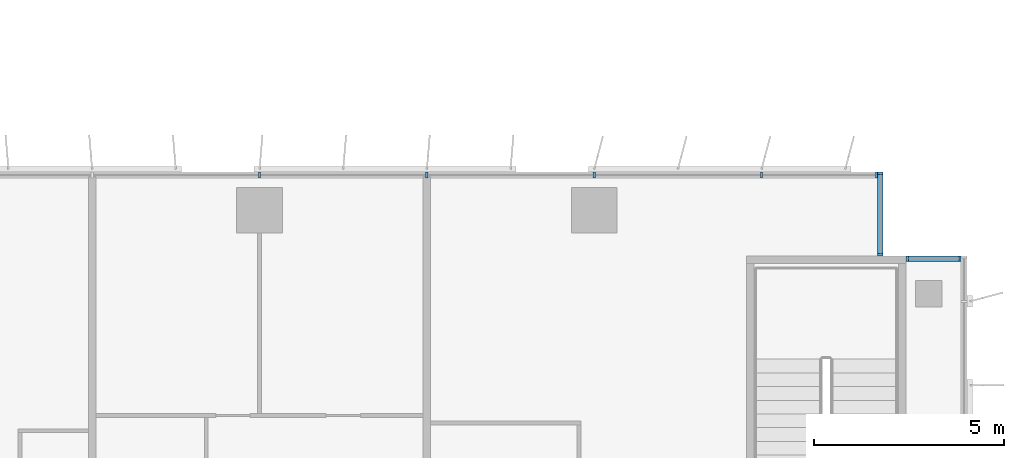
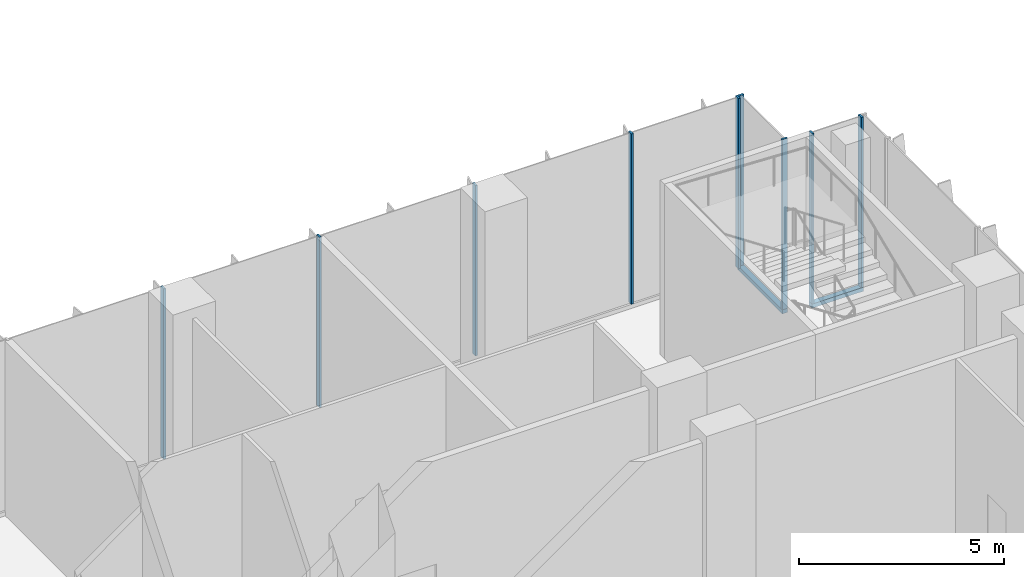
# One storey, part 4 of 26: 11 members, 3 elements without a shape of their own.
"""IFC4 building model written with IfcOpenShell, lengths in metres."""

from ifc_helpers import new_model, si_unit, direction, frame, origin, origin_2d, place, context, subcontext, project, spatial, rectangle, extrude, source, transform, mapped, material, material_profile, profile_set, type_object, element, aggregate, save


model = new_model("IFC4")

# Units and contexts
model_context = context("Model", 3, precision=1e-05, world=origin(), true_north=direction((0.0, 1.0)))
body_context = subcontext(model_context, "Body", "Model", "MODEL_VIEW")
ifc_project = project(units=[si_unit("LENGTHUNIT", "METRE"), si_unit("AREAUNIT", "SQUARE_METRE"), si_unit("VOLUMEUNIT", "CUBIC_METRE"), si_unit("PLANEANGLEUNIT", "RADIAN"), si_unit("MASSUNIT", "GRAM", prefix="KILO")], contexts=[model_context])

# Site, building, storey
site_placement = place(None, origin())
site = spatial("IfcSite", under=ifc_project, at=site_placement, CompositionType="ELEMENT")
building_placement = place(site_placement, origin())
building = spatial("IfcBuilding", under=site, at=building_placement, Name="Kemantara Hotel Tower", CompositionType="ELEMENT")
storey_placement = place(building_placement, frame((0.0, 0.0, 101.89990234375)))
storey = spatial("IfcBuildingStorey", under=building, at=storey_placement, Name="L24", CompositionType="ELEMENT", Elevation=101.89990234375)

# Curtain wall, member
ifc_material_1 = material(Name="Low-E tinted double insulated glass 36 mm", Category="glass")
curtain_wall_type = type_object("IfcCurtainWallType", Name="TOWER CURTAIN WALL, FRONT FACES", PredefinedType="USERDEFINED", material=ifc_material_1)
curtain_wall_1_placement = place(storey_placement, origin())
curtain_wall_1 = element("IfcCurtainWall", 1, at=curtain_wall_1_placement, inside=storey, type_object=curtain_wall_type, Name="CW4 L24 T2-R11-1", ObjectType="TOWER CURTAIN WALL, FRONT FACES", PredefinedType="USERDEFINED")
ifc_material_2 = material(Name="Aluminium 6063-T6 bronze anodised", Category="aluminium")
ifc_material_profile_1 = material_profile(ifc_material_2, rectangle(XDim=0.14990234375, YDim=0.1201171875, at=origin_2d()), Name="TOWER CURTAIN WALL, FRONT FACES TRANSOM")
ifc_profile_set_1 = profile_set([ifc_material_profile_1], Name="Aluminium 6063-T6 bronze anodised")
member_type_1 = type_object("IfcMemberType", Name="TOWER CURTAIN WALL, FRONT FACES TRANSOM", PredefinedType="USERDEFINED", material=ifc_profile_set_1)
member_1_placement = place(storey_placement, frame((63.449951171875, 19.72509765625, 0.06005859375), z_axis=(-1.0, 0.0, 0.0), x_axis=(0.0, -1.0, 0.0)))
member_1 = element("IfcMember", 2, at=member_1_placement, type_object=member_type_1, Name="CW4 sill transom T2-R11-1", ObjectType="TRANSOM", PredefinedType="USERDEFINED", context=body_context, shape_type="SweptSolid", body=[
    extrude(rectangle(XDim=0.14990234375, YDim=0.1201171875, at=origin_2d()), origin(), (0.0, 0.0, 1.0), 1.449951171875),
])

curtain_wall_2_placement = place(storey_placement, origin())
curtain_wall_2 = element("IfcCurtainWall", 3, at=curtain_wall_2_placement, inside=storey, type_object=curtain_wall_type, Name="CW4 L24 T2-R12-1", ObjectType="TOWER CURTAIN WALL, FRONT FACES", PredefinedType="USERDEFINED")
member_2_placement = place(storey_placement, frame((61.324951171875, 19.800048828125, 0.06005859375), z_axis=(0.0, 1.0, 0.0), x_axis=(-1.0, 0.0, 0.0)))
member_2 = element("IfcMember", 4, at=member_2_placement, type_object=member_type_1, Name="CW4 sill transom T2-R12-1", ObjectType="TRANSOM", PredefinedType="USERDEFINED", context=body_context, shape_type="SweptSolid", body=[
    extrude(rectangle(XDim=0.14990234375, YDim=0.1201171875, at=origin_2d()), origin(), (0.0, 0.0, 1.0), 2.199951171875),
])

# Curtain wall, members
curtain_wall_3_placement = place(storey_placement, origin())
curtain_wall_3 = element("IfcCurtainWall", 5, at=curtain_wall_3_placement, inside=storey, type_object=curtain_wall_type, Name="CW4 L24 T2-R13-1", ObjectType="TOWER CURTAIN WALL, FRONT FACES", PredefinedType="USERDEFINED")
ifc_material_profile_2 = material_profile(ifc_material_2, rectangle(XDim=0.14990234375, YDim=0.06005859375, at=origin_2d()), Name="TOWER CURTAIN WALL, FRONT FACES MULLION")
ifc_profile_set_2 = profile_set([ifc_material_profile_2], Name="Aluminium 6063-T6 bronze anodised")
member_type_2 = type_object("IfcMemberType", Name="TOWER CURTAIN WALL, FRONT FACES MULLION", PredefinedType="MULLION", material=ifc_profile_set_2)
shared_shape = source(origin(), body_context, "Body", "SweptSolid", [
    extrude(rectangle(XDim=0.14990234375, YDim=0.06005859375, at=origin_2d()), origin(), (0.0, 0.0, 1.0), 5.080078125),
])
member_3_placement = place(storey_placement, frame((61.219970703125, 21.925048828125, 0.1201171875), z_axis=(0.0, 0.0, 1.0), x_axis=(0.0, -1.0, 0.0)))
member_3 = element("IfcMember", 6, at=member_3_placement, type_object=member_type_2, Name="CW4 mullion T2-R13-1.1", PredefinedType="MULLION", context=body_context, shape_type="MappedRepresentation", body=[
    mapped(shared_shape, transform((0.0, 0.0, 0.0))),
])
member_4_placement = place(storey_placement, frame((58.199951171875, 21.925048828125, 0.1201171875), z_axis=(0.0, 0.0, 1.0), x_axis=(0.0, -1.0, 0.0)))
member_4 = element("IfcMember", 7, at=member_4_placement, type_object=member_type_2, Name="CW4 mullion T2-R13-1.2", PredefinedType="MULLION", context=body_context, shape_type="MappedRepresentation", body=[
    mapped(shared_shape, transform((0.0, 0.0, 0.0))),
])
member_5_placement = place(storey_placement, frame((53.800048828125, 21.925048828125, 0.1201171875), z_axis=(0.0, 0.0, 1.0), x_axis=(0.0, -1.0, 0.0)))
member_5 = element("IfcMember", 8, at=member_5_placement, type_object=member_type_2, Name="CW4 mullion T2-R13-1.3", PredefinedType="MULLION", context=body_context, shape_type="MappedRepresentation", body=[
    mapped(shared_shape, transform((0.0, 0.0, 0.0))),
])
member_6_placement = place(storey_placement, frame((49.39990234375, 21.925048828125, 0.1201171875), z_axis=(0.0, 0.0, 1.0), x_axis=(0.0, -1.0, 0.0)))
member_6 = element("IfcMember", 9, at=member_6_placement, type_object=member_type_2, Name="CW4 mullion T2-R13-1.4", PredefinedType="MULLION", context=body_context, shape_type="MappedRepresentation", body=[
    mapped(shared_shape, transform((0.0, 0.0, 0.0))),
])
member_7_placement = place(storey_placement, frame((45.0, 21.925048828125, 0.1201171875), z_axis=(0.0, 0.0, 1.0), x_axis=(0.0, -1.0, 0.0)))
member_7 = element("IfcMember", 10, at=member_7_placement, type_object=member_type_2, Name="CW4 mullion T2-R13-1.5", PredefinedType="MULLION", context=body_context, shape_type="MappedRepresentation", body=[
    mapped(shared_shape, transform((0.0, 0.0, 0.0))),
])
aggregate(curtain_wall_3, [member_3, member_4, member_5, member_6, member_7])

# Member
member_8_placement = place(storey_placement, frame((63.419921875, 19.72509765625, 0.1201171875), z_axis=(0.0, 0.0, 1.0), x_axis=(0.0, -1.0, 0.0)))
member_8 = element("IfcMember", 11, at=member_8_placement, type_object=member_type_2, Name="CW4 mullion T2-R11-1.1", PredefinedType="MULLION", context=body_context, shape_type="MappedRepresentation", body=[
    mapped(shared_shape, transform((0.0, 0.0, 0.0))),
])

member_9_placement = place(storey_placement, frame((62.030029296875, 19.72509765625, 0.1201171875), z_axis=(0.0, 0.0, 1.0), x_axis=(0.0, -1.0, 0.0)))
member_9 = element("IfcMember", 12, at=member_9_placement, type_object=member_type_2, Name="CW4 mullion T2-R11-1.2", PredefinedType="MULLION", context=body_context, shape_type="MappedRepresentation", body=[
    mapped(shared_shape, transform((0.0, 0.0, 0.0))),
])

aggregate(curtain_wall_1, [member_1, member_8, member_9])

member_10_placement = place(storey_placement, frame((61.324951171875, 19.830078125, 0.1201171875), z_axis=(0.0, 0.0, 1.0), x_axis=(-1.0, 0.0, 0.0)))
member_10 = element("IfcMember", 13, at=member_10_placement, type_object=member_type_2, Name="CW4 mullion T2-R12-1.1", PredefinedType="MULLION", context=body_context, shape_type="MappedRepresentation", body=[
    mapped(shared_shape, transform((0.0, 0.0, 0.0))),
])

member_11_placement = place(storey_placement, frame((61.324951171875, 21.969970703125, 0.1201171875), z_axis=(0.0, 0.0, 1.0), x_axis=(-1.0, 0.0, 0.0)))
member_11 = element("IfcMember", 14, at=member_11_placement, type_object=member_type_2, Name="CW4 mullion T2-R12-1.2", PredefinedType="MULLION", context=body_context, shape_type="MappedRepresentation", body=[
    mapped(shared_shape, transform((0.0, 0.0, 0.0))),
])

aggregate(curtain_wall_2, [member_2, member_10, member_11])

save(model, "model.ifc")
